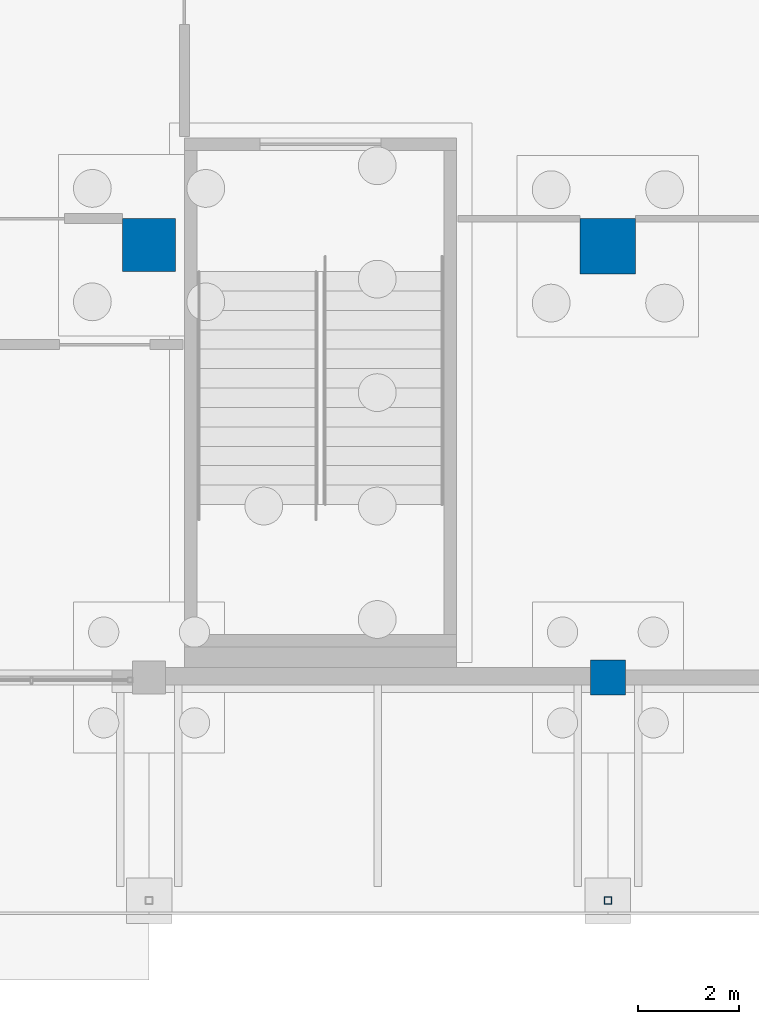
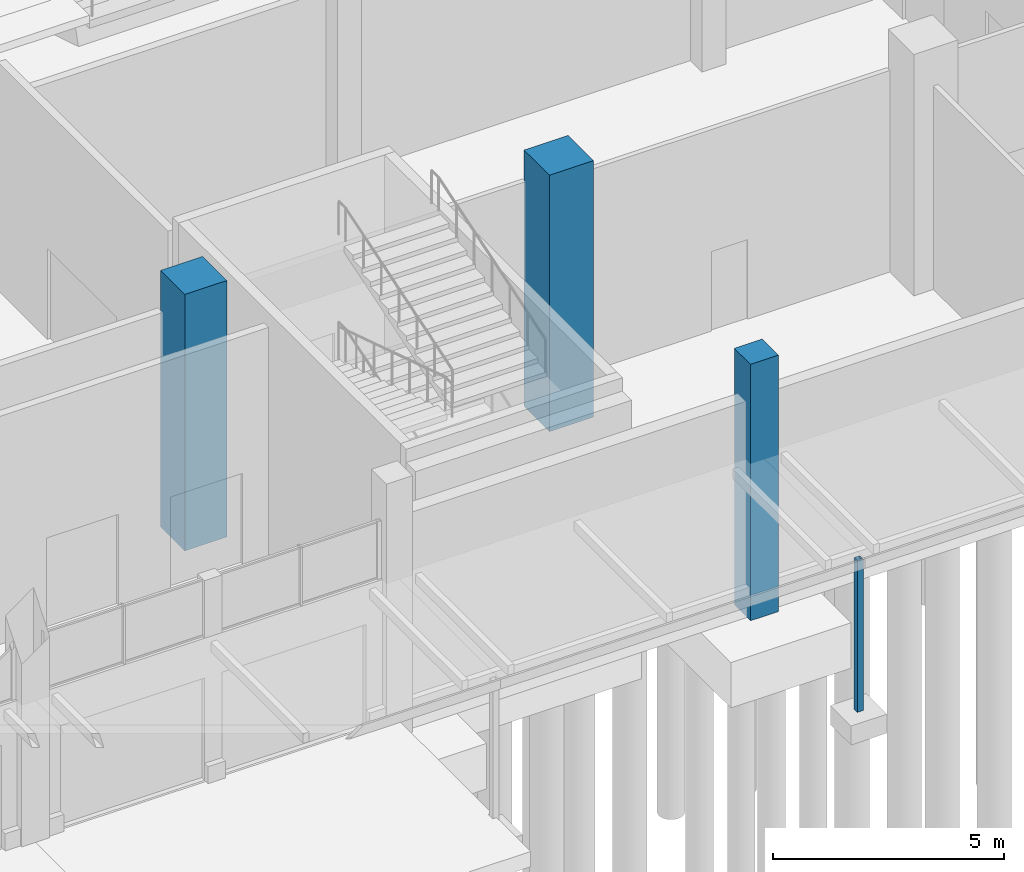
# One storey, part 18 of 129: 4 columns.
"""IFC4 building model written with IfcOpenShell, lengths in metres."""

from ifc_helpers import new_model, si_unit, direction, frame, origin, origin_2d, place, context, subcontext, project, spatial, rectangle, hollow_rectangle, extrude, material, material_profile, profile_set, type_object, element, save


model = new_model("IFC4")

# Units and contexts
model_context = context("Model", 3, precision=1e-05, world=origin(), true_north=direction((0.0, 1.0)))
body_context = subcontext(model_context, "Body", "Model", "MODEL_VIEW")
ifc_project = project(units=[si_unit("LENGTHUNIT", "METRE"), si_unit("AREAUNIT", "SQUARE_METRE"), si_unit("VOLUMEUNIT", "CUBIC_METRE"), si_unit("PLANEANGLEUNIT", "RADIAN"), si_unit("MASSUNIT", "GRAM", prefix="KILO")], contexts=[model_context])

# Site, building, storey
site_placement = place(None, origin())
site = spatial("IfcSite", under=ifc_project, at=site_placement, CompositionType="ELEMENT")
building_placement = place(site_placement, origin())
building = spatial("IfcBuilding", under=site, at=building_placement, Name="Shirokan Park Arena", CompositionType="ELEMENT")
storey_placement = place(building_placement, origin())
storey = spatial("IfcBuildingStorey", under=building, at=storey_placement, Name="L00", CompositionType="ELEMENT", Elevation=0.0)

# Columns
ifc_material_1 = material(Name="Concrete C35", Category="concrete")
ifc_material_profile_1 = material_profile(ifc_material_1, rectangle(XDim=1.050048828125, YDim=1.050048828125, at=origin_2d()), Name="1050x1050")
ifc_profile_set_1 = profile_set([ifc_material_profile_1], Name="Concrete C35")
column_type_1 = type_object("IfcColumnType", Name="RC column 1050x1050", PredefinedType="COLUMN", material=ifc_profile_set_1)
column_1_placement = place(storey_placement, frame((81.89990234375, 8.574951171875, -0.39990234375), z_axis=(0.0, 0.0, 1.0), x_axis=(1.0, 0.0, 0.0)))
element("IfcColumn", 1, at=column_1_placement, inside=storey, type_object=column_type_1, Name="Column 10B L00", PredefinedType="COLUMN", context=body_context, shape_type="SweptSolid", body=[
    extrude(rectangle(XDim=1.050048828125, YDim=1.050048828125, at=origin_2d()), origin(), (0.0, 0.0, 1.0), 6.77001953125),
])
ifc_material_profile_2 = material_profile(ifc_material_1, rectangle(XDim=1.10009765625, YDim=1.10009765625, at=origin_2d()), Name="1100x1100")
ifc_profile_set_2 = profile_set([ifc_material_profile_2], Name="Concrete C35")
column_type_2 = type_object("IfcColumnType", Name="RC column 1100x1100", PredefinedType="COLUMN", material=ifc_profile_set_2)
column_2_placement = place(storey_placement, frame((91.0, 8.550048828125, -0.39990234375), z_axis=(0.0, 0.0, 1.0), x_axis=(1.0, 0.0, 0.0)))
element("IfcColumn", 2, at=column_2_placement, inside=storey, type_object=column_type_2, Name="Column 11B L00", PredefinedType="COLUMN", context=body_context, shape_type="SweptSolid", body=[
    extrude(rectangle(XDim=1.10009765625, YDim=1.10009765625, at=origin_2d()), origin(), (0.0, 0.0, 1.0), 6.77001953125),
])
ifc_material_profile_3 = material_profile(ifc_material_1, rectangle(XDim=0.699951171875, YDim=0.699951171875, at=origin_2d()), Name="700x700")
ifc_profile_set_3 = profile_set([ifc_material_profile_3], Name="Concrete C35")
column_type_3 = type_object("IfcColumnType", Name="RC column 700x700", PredefinedType="COLUMN", material=ifc_profile_set_3)
column_3_placement = place(storey_placement, frame((91.0, 0.0, -0.39990234375), z_axis=(0.0, 0.0, 1.0), x_axis=(1.0, 0.0, 0.0)))
element("IfcColumn", 3, at=column_3_placement, inside=storey, type_object=column_type_3, Name="Column 11A L00", PredefinedType="COLUMN", context=body_context, shape_type="SweptSolid", body=[
    extrude(rectangle(XDim=0.699951171875, YDim=0.699951171875, at=origin_2d()), origin(), (0.0, 0.0, 1.0), 6.77001953125),
])
ifc_material_2 = material(Name="Steel S355", Category="steel")
ifc_material_profile_4 = material_profile(ifc_material_2, hollow_rectangle(XDim=0.14990234375, YDim=0.14990234375, WallThickness=0.008056640625, at=origin_2d()), Name="RHS 150x150x8")
ifc_profile_set_4 = profile_set([ifc_material_profile_4], Name="Steel S355")
column_type_4 = type_object("IfcColumnType", Name="Steel post RHS 150x150x8", PredefinedType="COLUMN", material=ifc_profile_set_4)
column_4_placement = place(storey_placement, frame((91.0, -4.425048828125, -0.39990234375), z_axis=(0.0, 0.0, 1.0), x_axis=(1.0, 0.0, 0.0)))
element("IfcColumn", 4, at=column_4_placement, inside=storey, type_object=column_type_4, Name="Canopy post south grid 11", PredefinedType="COLUMN", context=body_context, shape_type="SweptSolid", body=[
    extrude(hollow_rectangle(XDim=0.14990234375, YDim=0.14990234375, WallThickness=0.008056640625, at=origin_2d()), origin(), (0.0, 0.0, 1.0), 4.0),
])

save(model, "model.ifc")
